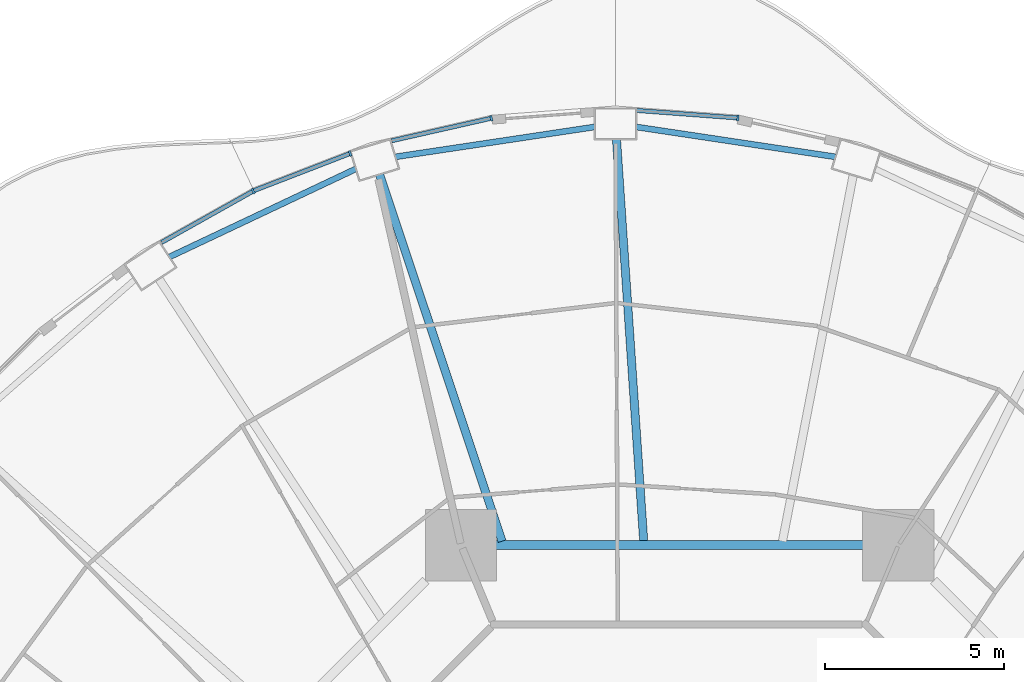
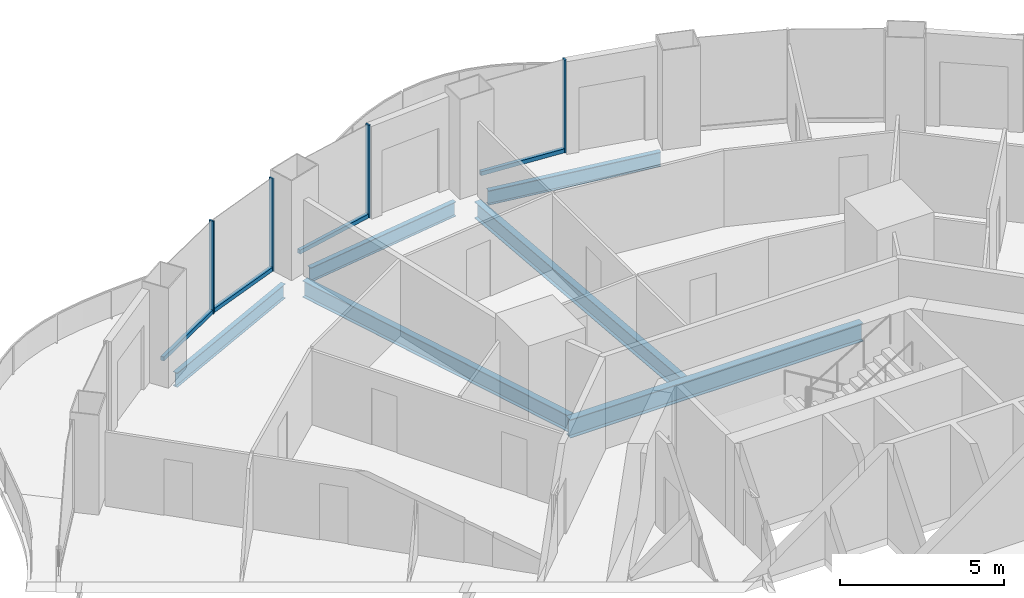
# One storey, part 8 of 21: 8 members, 6 beams, 4 elements without a shape of their own.
"""IFC4 building model written with IfcOpenShell, lengths in metres."""

import ifcopenshell
import ifcopenshell.guid

model = None  # the IFC model being written
_history = None  # IfcOwnerHistory: only IFC2X3 demands one
_inside = {}  # id of a spatial element -> (the spatial element, [elements in it])
_under = {}  # id of a project, library or spatial element -> (it, [spatial elements below it])
_declared = {}  # id of a project -> (the project, [libraries it declares])
_typed = {}  # id of a type object -> (the type object, [elements of that type])
_made_of = {}  # id of a material, layer set ... -> (it, [elements and type objects made of it])


def new_model(schema):
    """Start an empty IFC model of exactly this schema.

    Asked for "IFC4X3", IfcOpenShell would pick the latest addendum, in which some entities
    have other attributes; the version numbers below select the first issue.
    IFC2X3 requires an IfcOwnerHistory on every rooted entity: one is made here for all.
    """
    global model, _history
    if schema == "IFC4X3":
        model = ifcopenshell.file(schema_version=(4, 3, 0, 0))
    else:
        model = ifcopenshell.file(schema=schema)
    _inside.clear()
    _under.clear()
    _declared.clear()
    _typed.clear()
    _made_of.clear()
    _history = None
    if model.schema == "IFC2X3":
        org = make("IfcOrganization", Name="unknown")
        user = make(
            "IfcPersonAndOrganization",
            ThePerson=make("IfcPerson", FamilyName="unknown"),
            TheOrganization=org,
        )
        app = make(
            "IfcApplication",
            ApplicationDeveloper=org,
            Version="unknown",
            ApplicationFullName="unknown",
            ApplicationIdentifier="unknown",
        )
        _history = make(
            "IfcOwnerHistory",
            OwningUser=user,
            OwningApplication=app,
            ChangeAction="ADDED",
            CreationDate=0,
        )
    return model


def make(cls, **values):
    """One entity of the class cls with the attributes given. An attribute that is None is left unset."""
    return model.create_entity(
        cls, **{name: value for name, value in values.items() if value is not None}
    )


def rooted(cls, **values):
    """An entity with a GlobalId (a new one), such as an element, a storey or a relation."""
    return make(cls, GlobalId=ifcopenshell.guid.new(), OwnerHistory=_history, **values)


def si_unit(unit_type, name, prefix=None):
    """IfcSIUnit, for example si_unit("LENGTHUNIT", "METRE", prefix="MILLI")."""
    return make("IfcSIUnit", UnitType=unit_type, Prefix=prefix, Name=name)


def assignment(units):
    """IfcUnitAssignment: the units of a project."""
    return None if units is None else make("IfcUnitAssignment", Units=units)


def point(xyz):
    """IfcCartesianPoint."""
    return None if xyz is None else make("IfcCartesianPoint", Coordinates=xyz)


def direction(xyz):
    """IfcDirection."""
    return None if xyz is None else make("IfcDirection", DirectionRatios=xyz)


def frame(location, z_axis=None, x_axis=None):
    """IfcAxis2Placement3D, a coordinate frame: its origin and axes. An axis left out is left unset."""
    return make(
        "IfcAxis2Placement3D",
        Location=point(location),
        Axis=direction(z_axis),
        RefDirection=direction(x_axis),
    )


def frame_2d(location, x_axis=None):
    """IfcAxis2Placement2D, a coordinate frame in the plane: its origin and x axis."""
    return make(
        "IfcAxis2Placement2D", Location=point(location), RefDirection=direction(x_axis)
    )


def origin():
    """The frame at (0, 0, 0) with its axes left unset."""
    return frame((0.0, 0.0, 0.0))


def origin_2d():
    """The frame at (0, 0) in the plane with its x axis left unset."""
    return frame_2d((0.0, 0.0))


def place(relative_to, where):
    """IfcLocalPlacement: puts the frame where relative to a parent placement (None: the world)."""
    return make(
        "IfcLocalPlacement", PlacementRelTo=relative_to, RelativePlacement=where
    )


def context(
    kind, dimensions, precision=None, world=None, true_north=None, identifier=None
):
    """IfcGeometricRepresentationContext, for example the 3D "Model" context."""
    return make(
        "IfcGeometricRepresentationContext",
        ContextIdentifier=identifier,
        ContextType=kind,
        CoordinateSpaceDimension=dimensions,
        Precision=precision,
        WorldCoordinateSystem=world,
        TrueNorth=true_north,
    )


def subcontext(parent, identifier, kind, view, scale=None):
    """IfcGeometricRepresentationSubContext, for example "Body" below "Model"."""
    return make(
        "IfcGeometricRepresentationSubContext",
        ContextIdentifier=identifier,
        ContextType=kind,
        ParentContext=parent,
        TargetScale=scale,
        TargetView=view,
    )


def project(units=None, contexts=None):
    """IfcProject with its units and contexts."""
    return rooted(
        "IfcProject",
        Name="project",
        RepresentationContexts=contexts,
        UnitsInContext=assignment(units),
    )


def spatial(cls, under=None, at=None, **own):
    """A site, building, storey or space (cls), placed at a placement, below another one or the project."""
    s = rooted(cls, ObjectPlacement=at, **own)
    if under is not None:
        _under.setdefault(under.id(), (under, []))[1].append(s)
    return s


def profile(cls, at=None, kind="AREA", **sizes):
    """A parametric profile (cls). Its sizes go by their IFC names, for example OverallWidth=200.0."""
    return make(cls, ProfileType=kind, Position=at, **sizes)


def rectangle(**sizes):
    """IfcRectangleProfileDef."""
    return profile("IfcRectangleProfileDef", **sizes)


def i_section(**sizes):
    """IfcIShapeProfileDef."""
    return profile("IfcIShapeProfileDef", **sizes)


def extrude(swept, where, along, depth):
    """IfcExtrudedAreaSolid: the profile swept, set in the frame where, extruded along a direction by depth."""
    return make(
        "IfcExtrudedAreaSolid",
        SweptArea=swept,
        Position=where,
        ExtrudedDirection=direction(along),
        Depth=depth,
    )


def shape(context_of_items, identifier, shape_type, items):
    """IfcShapeRepresentation: the items that make up one representation, for example the "Body"."""
    return make(
        "IfcShapeRepresentation",
        ContextOfItems=context_of_items,
        RepresentationIdentifier=identifier,
        RepresentationType=shape_type,
        Items=items,
    )


def material(Name=None, Category=None):
    """IfcMaterial."""
    return make("IfcMaterial", Name=Name, Category=Category)


def layer(
    of_material, thickness, ventilated=None, Name=None, Category=None, Priority=None
):
    """IfcMaterialLayer: one layer of a wall or slab, of a material (None: an air gap)."""
    return make(
        "IfcMaterialLayer",
        Material=of_material,
        LayerThickness=thickness,
        IsVentilated=ventilated,
        Name=Name,
        Category=Category,
        Priority=Priority,
    )


def layer_set(layers, Name=None):
    """IfcMaterialLayerSet."""
    return make("IfcMaterialLayerSet", MaterialLayers=layers, LayerSetName=Name)


def material_profile(
    of_material, cross_section, Name=None, Category=None, Priority=None
):
    """IfcMaterialProfile: a cross section and its material."""
    return make(
        "IfcMaterialProfile",
        Name=Name,
        Material=of_material,
        Profile=cross_section,
        Priority=Priority,
        Category=Category,
    )


def profile_set(profiles, Name=None, composite=None):
    """IfcMaterialProfileSet."""
    return make(
        "IfcMaterialProfileSet",
        Name=Name,
        MaterialProfiles=profiles,
        CompositeProfile=composite,
    )


def made_of(thing, what):
    """Note that an element or type object is made of a material, layer set ...; save() writes the relation."""
    if what is not None:
        _made_of.setdefault(what.id(), (what, []))[1].append(thing)
    return thing


def type_object(cls, material=None, **own):
    """A type object (cls), such as IfcWallType, which elements share."""
    return made_of(rooted(cls, **own), material)


def element(
    cls,
    number,
    at=None,
    inside=None,
    cuts=None,
    type_object=None,
    material=None,
    context=None,
    identifier="Body",
    shape_type=None,
    held_by="IfcProductDefinitionShape",
    body=None,
    shapes=None,
    **own,
):
    """One element of the class cls, such as IfcWall. Its Tag is "e" and its number.

    at: its placement. inside: the storey or other place that contains it. cuts: it is an
    opening in that element (IfcRelVoidsElement). A single representation is given by context,
    identifier, shape_type and body (its items); several are given by shapes. held_by: the class
    of the entity that holds the representations. save() writes the other relations.
    """
    e = rooted(cls, Tag="e%d" % number, ObjectPlacement=at, **own)
    if body is not None:
        shapes = [shape(context, identifier, shape_type, body)]
    if shapes is not None:
        e.Representation = make(held_by, Representations=shapes)
    if inside is not None:
        _inside.setdefault(inside.id(), (inside, []))[1].append(e)
    if cuts is not None:
        rooted(
            "IfcRelVoidsElement", RelatingBuildingElement=cuts, RelatedOpeningElement=e
        )
    if type_object is not None:
        _typed.setdefault(type_object.id(), (type_object, []))[1].append(e)
    return made_of(e, material)


def aggregate(whole, parts):
    """IfcRelAggregates: a whole, such as a stair, and the parts it consists of."""
    return rooted("IfcRelAggregates", RelatingObject=whole, RelatedObjects=parts)


def save(model, path):
    """Write the relations noted so far, then the file.

    IfcRelAggregates (storeys below a building ...), IfcRelContainedInSpatialStructure (elements
    in a storey), IfcRelDefinesByType, IfcRelAssociatesMaterial and IfcRelDeclares: one each for
    every whole, place, type object, material and project.
    """
    for whole, parts in _under.values():
        aggregate(whole, parts)
    for where, things in _inside.values():
        rooted(
            "IfcRelContainedInSpatialStructure",
            RelatedElements=things,
            RelatingStructure=where,
        )
    for kind, things in _typed.values():
        rooted("IfcRelDefinesByType", RelatedObjects=things, RelatingType=kind)
    for what, things in _made_of.values():
        rooted("IfcRelAssociatesMaterial", RelatedObjects=things, RelatingMaterial=what)
    for by, libraries in _declared.values():
        rooted("IfcRelDeclares", RelatingContext=by, RelatedDefinitions=libraries)
    model.write(path)


model = new_model("IFC4")

# Units and contexts
model_context = context("Model", 3, precision=1e-05, world=origin(), true_north=direction((0.0, 1.0)))
body_context = subcontext(model_context, "Body", "Model", "MODEL_VIEW")
ifc_project = project(units=[si_unit("LENGTHUNIT", "METRE"), si_unit("AREAUNIT", "SQUARE_METRE"), si_unit("VOLUMEUNIT", "CUBIC_METRE"), si_unit("PLANEANGLEUNIT", "RADIAN"), si_unit("MASSUNIT", "GRAM", prefix="KILO")], contexts=[model_context])

# Site, building, storey
site_placement = place(None, origin())
site = spatial("IfcSite", under=ifc_project, at=site_placement, CompositionType="ELEMENT")
building_placement = place(site_placement, origin())
building = spatial("IfcBuilding", under=site, at=building_placement, Name="Nagisa Residences", CompositionType="ELEMENT")
storey_placement = place(building_placement, frame((0.0, 0.0, 138.10009765625)))
storey = spatial("IfcBuildingStorey", under=building, at=storey_placement, Name="L34", CompositionType="ELEMENT", Elevation=138.10009765625)

# Curtain wall, member
ifc_material_1 = material(Name="Concrete-coloured aluminium curtain wall system", Category="concrete")
ifc_layer = layer(ifc_material_1, 0.159912109375)
ifc_layer_set = layer_set([ifc_layer], Name="CW1 CURTAIN WALL")
curtain_wall_type = type_object("IfcCurtainWallType", Name="CW1 CURTAIN WALL", PredefinedType="NOTDEFINED", material=ifc_layer_set)
curtain_wall_1_placement = place(storey_placement, origin())
curtain_wall_1 = element("IfcCurtainWall", 1, at=curtain_wall_1_placement, inside=storey, type_object=curtain_wall_type, Name="cw:CW1:L34:11", PredefinedType="NOTDEFINED")
ifc_material_2 = material(Name="Concrete-coloured aluminium", Category="concrete")
ifc_material_profile_1 = material_profile(ifc_material_2, rectangle(XDim=0.159912109375, YDim=0.06005859375, at=origin_2d()), Name="CW1 MULLION 160x60")
ifc_profile_set_1 = profile_set([ifc_material_profile_1], Name="Concrete-coloured aluminium")
member_type_1 = type_object("IfcMemberType", Name="CW1 MULLION 160x60", PredefinedType="MULLION", material=ifc_profile_set_1)
member_1_placement = place(storey_placement, frame((1.627685546875, 26.741455078125, 0.0), z_axis=(0.0, 0.0, 1.0), x_axis=(-0.074377355493, -0.997230168512, 0.0)))
member_1 = element("IfcMember", 2, at=member_1_placement, type_object=member_type_1, Name="CW1 mullion", PredefinedType="MULLION", context=body_context, shape_type="SweptSolid", body=[
    extrude(rectangle(XDim=0.159912109375, YDim=0.06005859375, at=origin_2d()), origin(), (0.0, 0.0, 1.0), 3.43994140625),
])

curtain_wall_2_placement = place(storey_placement, origin())
curtain_wall_2 = element("IfcCurtainWall", 3, at=curtain_wall_2_placement, inside=storey, type_object=curtain_wall_type, Name="cw:CW1:L34:13", PredefinedType="NOTDEFINED")
member_2_placement = place(storey_placement, frame((-5.275146484375, 26.734375, 0.0), z_axis=(0.0, 0.0, 1.0), x_axis=(0.2207639201, -0.975327274089, 0.0)))
member_2 = element("IfcMember", 4, at=member_2_placement, type_object=member_type_1, Name="CW1 mullion", PredefinedType="MULLION", context=body_context, shape_type="SweptSolid", body=[
    extrude(rectangle(XDim=0.159912109375, YDim=0.06005859375, at=origin_2d()), origin(), (0.0, 0.0, 1.0), 3.43994140625),
])

curtain_wall_3_placement = place(storey_placement, origin())
curtain_wall_3 = element("IfcCurtainWall", 5, at=curtain_wall_3_placement, inside=storey, type_object=curtain_wall_type, Name="cw:CW1:L34:14", PredefinedType="NOTDEFINED")
member_3_placement = place(storey_placement, frame((-9.2265625, 25.746826171875, 0.0), z_axis=(0.0, 0.0, 1.0), x_axis=(0.360327770268, -0.932825759707, 0.0)))
member_3 = element("IfcMember", 6, at=member_3_placement, type_object=member_type_1, Name="CW1 mullion", PredefinedType="MULLION", context=body_context, shape_type="SweptSolid", body=[
    extrude(rectangle(XDim=0.159912109375, YDim=0.06005859375, at=origin_2d()), origin(), (0.0, 0.0, 1.0), 3.43994140625),
])

curtain_wall_4_placement = place(storey_placement, origin())
curtain_wall_4 = element("IfcCurtainWall", 7, at=curtain_wall_4_placement, inside=storey, type_object=curtain_wall_type, Name="cw:CW1:L34:15", PredefinedType="NOTDEFINED")
member_4_placement = place(storey_placement, frame((-11.94140625, 24.6943359375, 0.0), z_axis=(0.0, 0.0, 1.0), x_axis=(0.489376918501, -0.872072377523, 0.0)))
member_4 = element("IfcMember", 8, at=member_4_placement, type_object=member_type_1, Name="CW1 mullion", PredefinedType="MULLION", context=body_context, shape_type="SweptSolid", body=[
    extrude(rectangle(XDim=0.159912109375, YDim=0.06005859375, at=origin_2d()), origin(), (0.0, 0.0, 1.0), 3.43994140625),
])

# Member
ifc_material_3 = material(Name="Concrete-coloured aluminium", Category="concrete")
ifc_material_profile_2 = material_profile(ifc_material_3, rectangle(XDim=0.1201171875, YDim=0.14990234375, at=origin_2d()), Name="CW1 TRANSOM 120x150")
ifc_profile_set_2 = profile_set([ifc_material_profile_2], Name="Concrete-coloured aluminium")
member_type_2 = type_object("IfcMemberType", Name="CW1 TRANSOM 120x150", PredefinedType="USERDEFINED", material=ifc_profile_set_2)
member_5_placement = place(storey_placement, frame((1.657470703125, 26.7392578125, 0.074951171875), z_axis=(-0.997231697044, 0.074356858535, 0.0), x_axis=(-0.074356858535, -0.997231697044, 0.0)))
member_5 = element("IfcMember", 9, at=member_5_placement, type_object=member_type_2, Name="CW1 transom", ObjectType="TRANSOM", PredefinedType="USERDEFINED", context=body_context, shape_type="SweptSolid", body=[
    extrude(rectangle(XDim=0.1201171875, YDim=0.14990234375, at=origin_2d()), origin(), (0.0, 0.0, 1.0), 2.873046875),
])

aggregate(curtain_wall_1, [member_1, member_5])

member_6_placement = place(storey_placement, frame((-5.245849609375, 26.740966796875, 0.074951171875), z_axis=(-0.975320849653, -0.220792301117, 0.0), x_axis=(0.220792301117, -0.975320849653, 0.0)))
member_6 = element("IfcMember", 10, at=member_6_placement, type_object=member_type_2, Name="CW1 transom", ObjectType="TRANSOM", PredefinedType="USERDEFINED", context=body_context, shape_type="SweptSolid", body=[
    extrude(rectangle(XDim=0.1201171875, YDim=0.14990234375, at=origin_2d()), origin(), (0.0, 0.0, 1.0), 2.890380859375),
])

aggregate(curtain_wall_2, [member_2, member_6])

member_7_placement = place(storey_placement, frame((-9.19873046875, 25.757568359375, 0.074951171875), z_axis=(-0.932845344347, -0.360277064952, 0.0), x_axis=(0.360277064952, -0.932845344347, 0.0)))
member_7 = element("IfcMember", 11, at=member_7_placement, type_object=member_type_2, Name="CW1 transom", ObjectType="TRANSOM", PredefinedType="USERDEFINED", context=body_context, shape_type="SweptSolid", body=[
    extrude(rectangle(XDim=0.1201171875, YDim=0.14990234375, at=origin_2d()), origin(), (0.0, 0.0, 1.0), 2.92333984375),
])

aggregate(curtain_wall_3, [member_3, member_7])

member_8_placement = place(storey_placement, frame((-11.915283203125, 24.708984375, 0.074951171875), z_axis=(-0.872101969379, -0.489324181914, 0.0), x_axis=(0.489324181914, -0.872101969379, 0.0)))
member_8 = element("IfcMember", 12, at=member_8_placement, type_object=member_type_2, Name="CW1 transom", ObjectType="TRANSOM", PredefinedType="USERDEFINED", context=body_context, shape_type="SweptSolid", body=[
    extrude(rectangle(XDim=0.1201171875, YDim=0.14990234375, at=origin_2d()), origin(), (0.0, 0.0, 1.0), 2.9697265625),
])

aggregate(curtain_wall_4, [member_4, member_8])

# Beams
ifc_material_4 = material(Name="Steel ASTM A572 Gr 50", Category="steel")
ifc_material_profile_3 = material_profile(ifc_material_4, i_section(OverallWidth=0.25390625, OverallDepth=0.68408203125, WebThickness=0.012451171875, FlangeThickness=0.018798828125, at=origin_2d()), Name="W690x140")
ifc_profile_set_3 = profile_set([ifc_material_profile_3], Name="Steel ASTM A572 Gr 50")
beam_type_1 = type_object("IfcBeamType", Name="Inner ring beam W690x140", PredefinedType="BEAM", material=ifc_profile_set_3)
beam_1_placement = place(storey_placement, frame((5.142822265625, 14.781982421875, -0.60205078125), z_axis=(-1.0, 0.0, 0.0), x_axis=(0.0, -1.0, 0.0)))
element("IfcBeam", 13, at=beam_1_placement, inside=storey, type_object=beam_type_1, Name="beam:L34:ib2", PredefinedType="BEAM", context=body_context, shape_type="SweptSolid", body=[
    extrude(i_section(OverallWidth=0.25390625, OverallDepth=0.68408203125, WebThickness=0.012451171875, FlangeThickness=0.018798828125, at=origin_2d()), origin(), (0.0, 0.0, 1.0), 10.28564453125),
])
ifc_material_5 = material(Name="Steel ASTM A572 Gr 50", Category="steel")
ifc_material_profile_4 = material_profile(ifc_material_5, i_section(OverallWidth=0.166015625, OverallDepth=0.534912109375, WebThickness=0.01025390625, FlangeThickness=0.0166015625, at=origin_2d()), Name="W530x85")
ifc_profile_set_4 = profile_set([ifc_material_profile_4], Name="Steel ASTM A572 Gr 50")
beam_type_2 = type_object("IfcBeamType", Name="Perimeter ring beam W530x85", PredefinedType="BEAM", material=ifc_profile_set_4)
for number, where, z_axis, x_axis, name in (
    (14, (4.3583984375, 25.652587890625, -0.527587890625), (-0.9889122118, 0.148501304214, 0.0), (-0.148501304214, -0.9889122118, 0.0), "beam:L34:pb06"),
    (15, (-2.380126953125, 26.490234375, -0.527587890625), (-0.9889122118, -0.148501304214, 0.0), (0.148501304214, -0.9889122118, 0.0), "beam:L34:pb07"),
):
    element("IfcBeam", number, at=place(storey_placement, frame(where, z_axis=z_axis, x_axis=x_axis)), inside=storey, type_object=beam_type_2, Name=name, PredefinedType="BEAM", context=body_context, shape_type="SweptSolid", body=[
        extrude(i_section(OverallWidth=0.166015625, OverallDepth=0.534912109375, WebThickness=0.01025390625, FlangeThickness=0.0166015625, at=origin_2d()), origin(), (0.0, 0.0, 1.0), 5.640625),
    ])
beam_2_placement = place(storey_placement, frame((-9.068603515625, 25.31494140625, -0.527587890625), z_axis=(-0.904169699539, -0.427173447719, 0.0), x_axis=(0.427173447719, -0.904169699539, 0.0)))
element("IfcBeam", 16, at=beam_2_placement, inside=storey, type_object=beam_type_2, Name="beam:L34:pb08", PredefinedType="BEAM", context=body_context, shape_type="SweptSolid", body=[
    extrude(i_section(OverallWidth=0.166015625, OverallDepth=0.534912109375, WebThickness=0.01025390625, FlangeThickness=0.0166015625, at=origin_2d()), origin(), (0.0, 0.0, 1.0), 5.7724609375),
])
ifc_material_6 = material(Name="Steel ASTM A572 Gr 50", Category="steel")
ifc_material_profile_5 = material_profile(ifc_material_6, i_section(OverallWidth=0.22900390625, OverallDepth=0.612060546875, WebThickness=0.011962890625, FlangeThickness=0.01953125, at=origin_2d()), Name="W610x125")
ifc_profile_set_5 = profile_set([ifc_material_profile_5], Name="Steel ASTM A572 Gr 50")
beam_type_3 = type_object("IfcBeamType", Name="Radial beam W610x125", PredefinedType="BEAM", material=ifc_profile_set_5)
beam_3_placement = place(storey_placement, frame((-1.77099609375, 26.147216796875, -0.566162109375), z_axis=(0.067591690418, -0.997713066661, 0.0), x_axis=(0.997713066661, 0.067591690418, 0.0)))
element("IfcBeam", 17, at=beam_3_placement, inside=storey, type_object=beam_type_3, Name="beam:L34:rb07", PredefinedType="BEAM", context=body_context, shape_type="SweptSolid", body=[
    extrude(i_section(OverallWidth=0.22900390625, OverallDepth=0.612060546875, WebThickness=0.011962890625, FlangeThickness=0.01953125, at=origin_2d()), origin(), (0.0, 0.0, 1.0), 11.283935546875),
])
beam_4_placement = place(storey_placement, frame((-8.402099609375, 25.157470703125, -0.566162109375), z_axis=(0.316789297789, -0.948495936104, 0.0), x_axis=(0.948495936104, 0.316789297789, 0.0)))
element("IfcBeam", 18, at=beam_4_placement, inside=storey, type_object=beam_type_3, Name="beam:L34:rb08", PredefinedType="BEAM", context=body_context, shape_type="SweptSolid", body=[
    extrude(i_section(OverallWidth=0.22900390625, OverallDepth=0.612060546875, WebThickness=0.011962890625, FlangeThickness=0.01953125, at=origin_2d()), origin(), (0.0, 0.0, 1.0), 10.824951171875),
])

save(model, "model.ifc")
